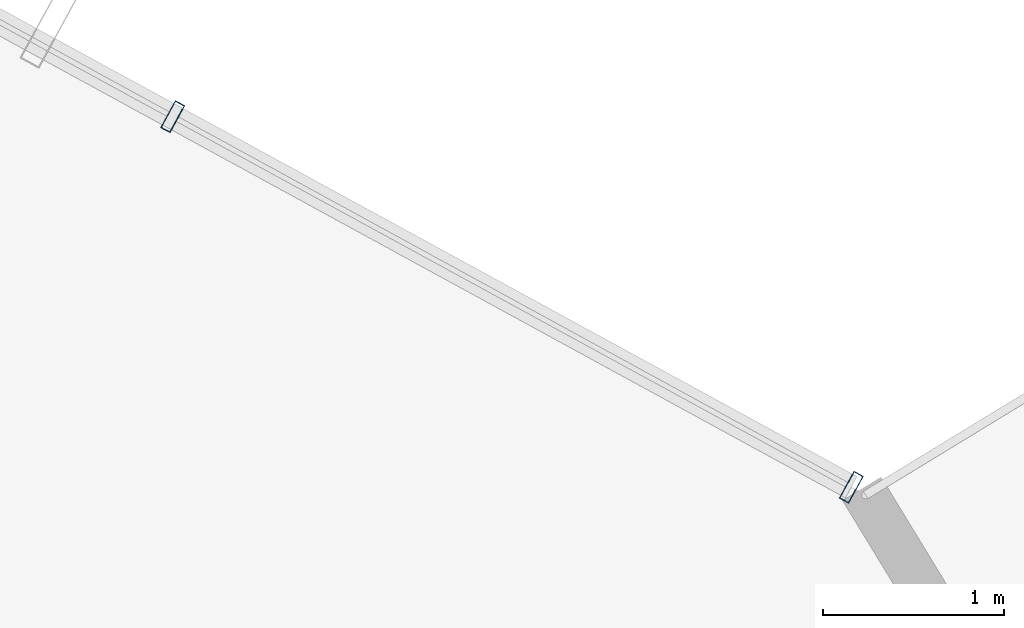
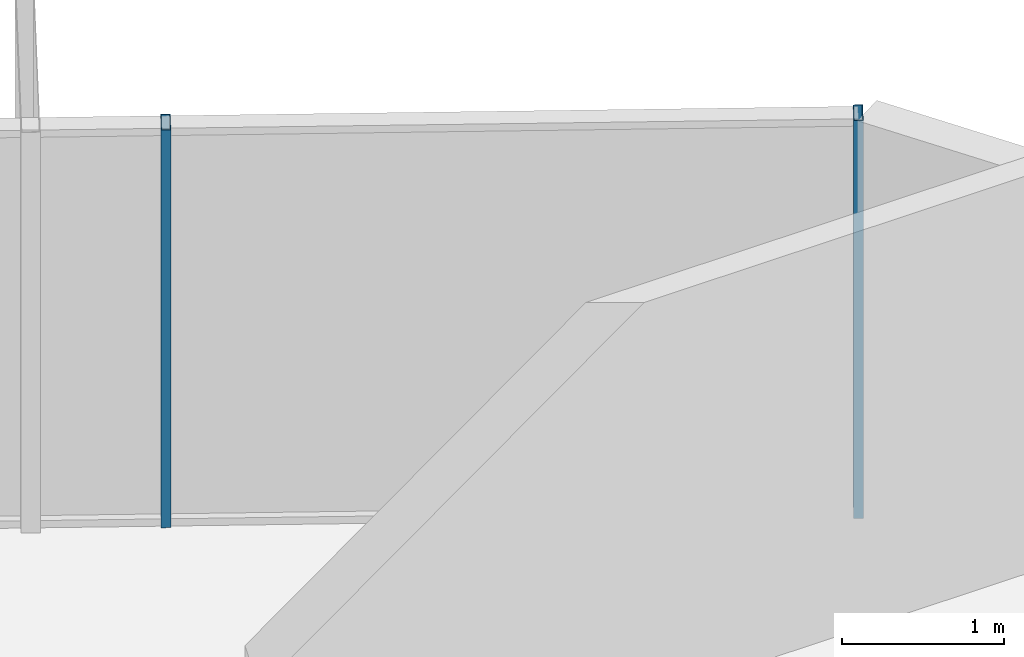
# One storey, part 24 of 31: 2 members, 1 element without a shape of its own.
"""IFC4 building model written with IfcOpenShell, lengths in metres."""

from ifc_helpers import new_model, si_unit, direction, frame, origin, origin_2d, place, context, subcontext, project, spatial, hollow_rectangle, extrude, source, transform, mapped, material, layer, layer_set, material_profile, profile_set, type_object, element, aggregate, save


model = new_model("IFC4")

# Units and contexts
model_context = context("Model", 3, precision=1e-05, world=origin(), true_north=direction((0.0, 1.0)))
body_context = subcontext(model_context, "Body", "Model", "MODEL_VIEW")
ifc_project = project(units=[si_unit("LENGTHUNIT", "METRE"), si_unit("AREAUNIT", "SQUARE_METRE"), si_unit("VOLUMEUNIT", "CUBIC_METRE"), si_unit("PLANEANGLEUNIT", "RADIAN"), si_unit("MASSUNIT", "GRAM", prefix="KILO")], contexts=[model_context])

# Site, building, storey
site_placement = place(None, origin())
site = spatial("IfcSite", under=ifc_project, at=site_placement, CompositionType="ELEMENT")
building_placement = place(site_placement, origin())
building = spatial("IfcBuilding", under=site, at=building_placement, Name="Veraguas Prism Commons", CompositionType="ELEMENT")
storey_placement = place(building_placement, frame((0.0, 0.0, 132.75)))
storey = spatial("IfcBuildingStorey", under=building, at=storey_placement, Name="L37", CompositionType="ELEMENT", Elevation=132.75)

# Curtain wall, members
ifc_material = material(Name="Anodised aluminium EN AW-6063 T6", Category="aluminium")
ifc_layer = layer(ifc_material, 0.169921875, Name="Unitised Flush Curtain Wall Zone 2", Category="aluminium")
ifc_layer_set = layer_set([ifc_layer], Name="Anodised aluminium EN AW-6063 T6")
curtain_wall_type = type_object("IfcCurtainWallType", Name="Unitised Flush Curtain Wall Zone 2", PredefinedType="NOTDEFINED", material=ifc_layer_set)
curtain_wall_placement = place(storey_placement, origin())
curtain_wall = element("IfcCurtainWall", 1, at=curtain_wall_placement, inside=storey, type_object=curtain_wall_type, Name="Tower Facade Curtain Wall L37-F1", PredefinedType="NOTDEFINED")
ifc_material_profile = material_profile(ifc_material, hollow_rectangle(XDim=0.06005859375, YDim=0.169921875, WallThickness=0.00390625, at=origin_2d()), Name="AL60X170X4")
ifc_profile_set = profile_set([ifc_material_profile], Name="Anodised aluminium EN AW-6063 T6")
member_type = type_object("IfcMemberType", Name="Curtain Wall Mullion Lower AL 60x170x4", PredefinedType="MULLION", material=ifc_profile_set)
shared_shape = source(origin(), body_context, "Body", "SweptSolid", [
    extrude(hollow_rectangle(XDim=0.06005859375, YDim=0.169921875, WallThickness=0.00390625, at=origin_2d()), origin(), (0.0, 0.0, 1.0), 3.0),
])
member_1_placement = place(storey_placement, frame((40.730712890625, 36.719482421875, 0.0), z_axis=(0.0, 0.0, 1.0), x_axis=(-0.877648571535, 0.479304688984, 0.0)))
member_1 = element("IfcMember", 2, at=member_1_placement, type_object=member_type, Name="CW-Z2 Mullion 1", PredefinedType="MULLION", context=body_context, shape_type="MappedRepresentation", body=[
    mapped(shared_shape, transform((0.0, 0.0, 0.0), scale=1.0)),
])
member_2_placement = place(storey_placement, frame((36.9755859375, 38.770263671875, 0.0), z_axis=(0.0, 0.0, 1.0), x_axis=(-0.877648571535, 0.479304688984, 0.0)))
member_2 = element("IfcMember", 3, at=member_2_placement, type_object=member_type, Name="CW-Z2 Mullion 2", PredefinedType="MULLION", context=body_context, shape_type="MappedRepresentation", body=[
    mapped(shared_shape, transform((0.0, 0.0, 0.0), scale=1.0)),
])
aggregate(curtain_wall, [member_1, member_2])

save(model, "model.ifc")
